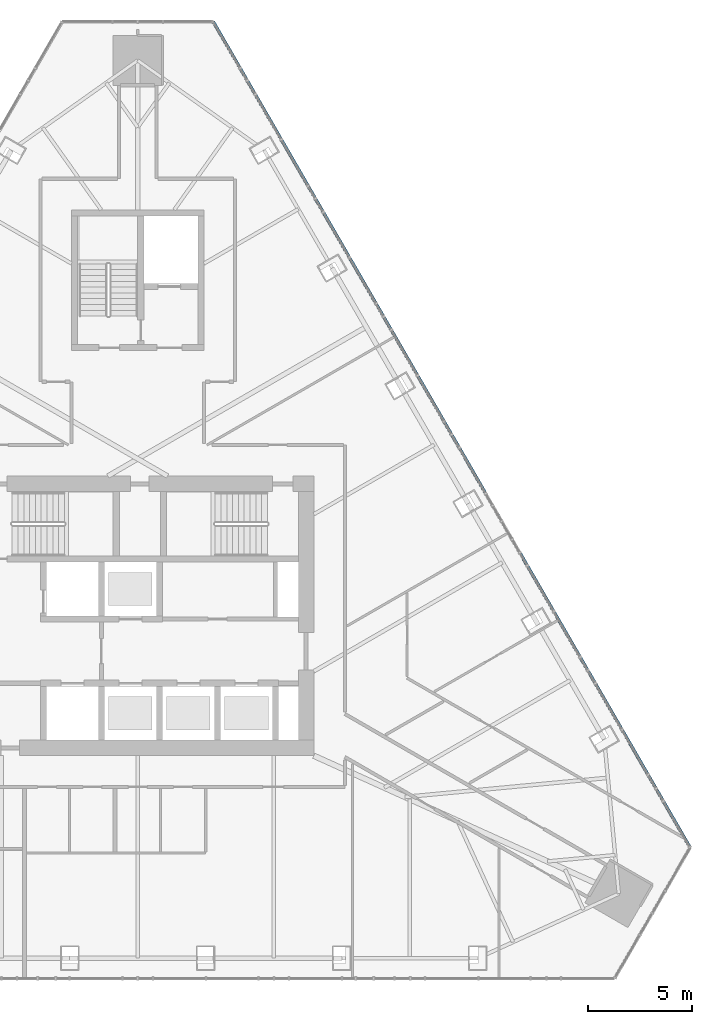
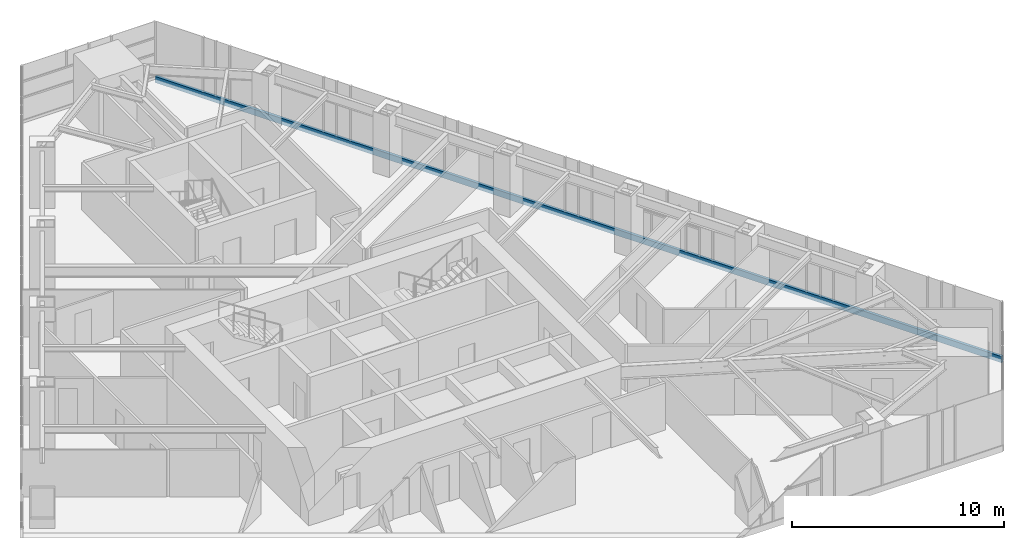
# One storey, part 9 of 20: 1 member, 1 element without a shape of its own.
"""IFC4 building model written with IfcOpenShell, lengths in metres."""

from ifc_helpers import new_model, si_unit, direction, frame, origin, origin_2d, place, context, subcontext, project, spatial, rectangle, extrude, material, layer, layer_set, material_profile, profile_set, type_object, element, aggregate, save


model = new_model("IFC4")

# Units and contexts
model_context = context("Model", 3, precision=1e-05, world=origin(), true_north=direction((0.0, 1.0)))
body_context = subcontext(model_context, "Body", "Model", "MODEL_VIEW")
ifc_project = project(units=[si_unit("LENGTHUNIT", "METRE"), si_unit("AREAUNIT", "SQUARE_METRE"), si_unit("VOLUMEUNIT", "CUBIC_METRE"), si_unit("PLANEANGLEUNIT", "RADIAN"), si_unit("MASSUNIT", "GRAM", prefix="KILO")], contexts=[model_context])

# Site, building, storey
site_placement = place(None, origin())
site = spatial("IfcSite", under=ifc_project, at=site_placement, CompositionType="ELEMENT")
building_placement = place(site_placement, origin())
building = spatial("IfcBuilding", under=site, at=building_placement, Name="Firuza Gate Tower and Library", CompositionType="ELEMENT")
storey_placement = place(building_placement, frame((0.0, 0.0, 277.60009765625)))
storey = spatial("IfcBuildingStorey", under=building, at=storey_placement, Name="L66", CompositionType="ELEMENT", Elevation=277.60009765625)

# Curtain wall, member
ifc_material_1 = material(Name="Aluminium 6063-T6", Category="aluminium")
ifc_layer = layer(ifc_material_1, 0.14990234375)
ifc_layer_set = layer_set([ifc_layer], Name="Unitised curtain wall, residences")
curtain_wall_type = type_object("IfcCurtainWallType", Name="Unitised curtain wall, residences", PredefinedType="NOTDEFINED", material=ifc_layer_set)
curtain_wall_placement = place(storey_placement, origin())
curtain_wall = element("IfcCurtainWall", 1, at=curtain_wall_placement, inside=storey, type_object=curtain_wall_type, Name="CW3 L66 E face", PredefinedType="NOTDEFINED")
ifc_material_2 = material(Name="Aluminium 6063-T6", Category="aluminium")
ifc_material_profile = material_profile(ifc_material_2, rectangle(XDim=0.14990234375, YDim=0.35009765625, at=origin_2d()))
ifc_profile_set = profile_set([ifc_material_profile], Name="Aluminium 6063-T6")
member_type = type_object("IfcMemberType", Name="Curtain wall transom 350x150", PredefinedType="USERDEFINED", material=ifc_profile_set)
member_placement = place(storey_placement, frame((101.665283203125, 63.811767578125, -0.025146484375), z_axis=(-0.499999832513, 0.866025500483, 0.0), x_axis=(-0.866025500483, -0.499999832513, 0.0)))
member = element("IfcMember", 2, at=member_placement, type_object=member_type, Name="Transom", ObjectType="TRANSOM", PredefinedType="USERDEFINED", context=body_context, shape_type="SweptSolid", body=[
    extrude(rectangle(XDim=0.14990234375, YDim=0.35009765625, at=origin_2d()), origin(), (0.0, 0.0, 1.0), 46.0439453125),
])
aggregate(curtain_wall, [member])

save(model, "model.ifc")
